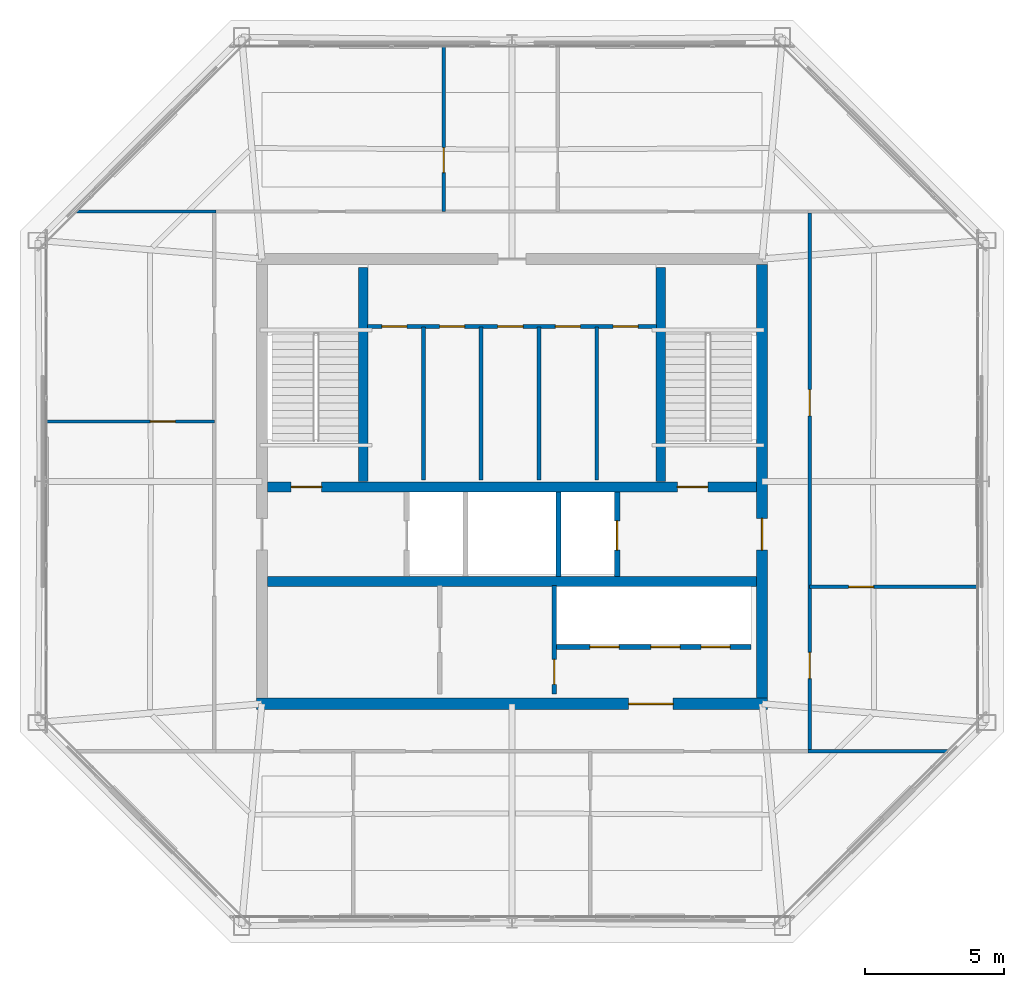
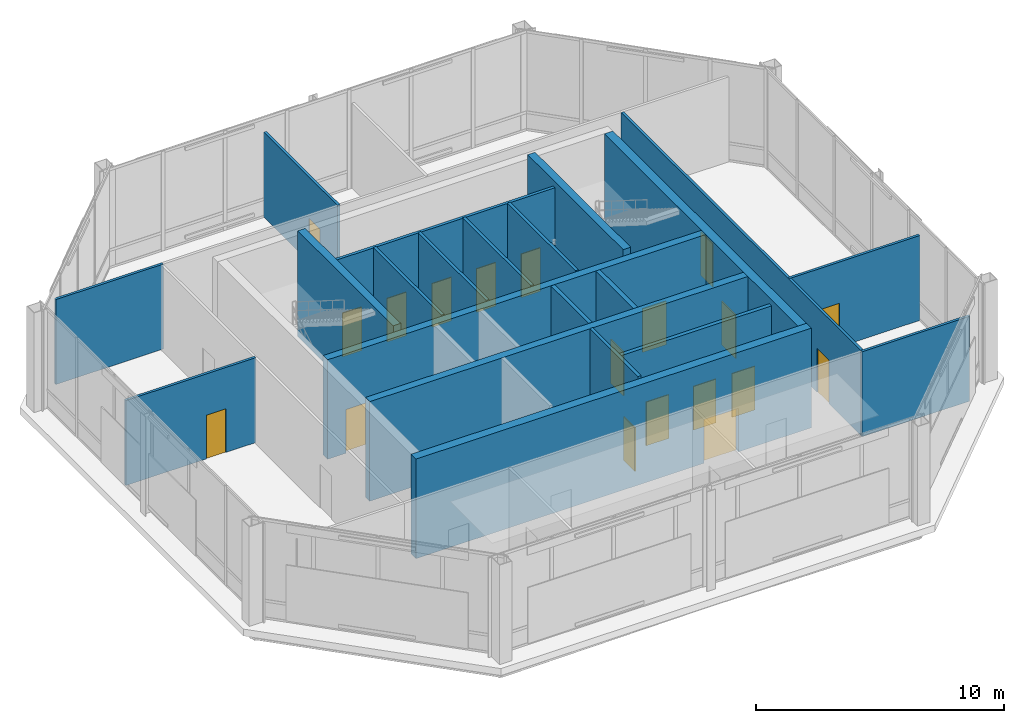
# One storey, part 19 of 21: 21 walls, 19 doors, 19 openings.
"""IFC4 building model written with IfcOpenShell, lengths in metres."""

from ifc_helpers import new_model, si_unit, direction, frame, frame_2d, origin, place, context, subcontext, project, spatial, rectangle, extrude, material, layer, layer_set, type_object, element, fill, save


model = new_model("IFC4")

# Units and contexts
model_context = context("Model", 3, precision=1e-05, world=origin(), true_north=direction((0.0, 1.0)))
body_context = subcontext(model_context, "Body", "Model", "MODEL_VIEW")
ifc_project = project(units=[si_unit("LENGTHUNIT", "METRE"), si_unit("AREAUNIT", "SQUARE_METRE"), si_unit("VOLUMEUNIT", "CUBIC_METRE"), si_unit("PLANEANGLEUNIT", "RADIAN"), si_unit("MASSUNIT", "GRAM", prefix="KILO")], contexts=[model_context])

# Site, building, storey
site_placement = place(None, origin())
site = spatial("IfcSite", under=ifc_project, at=site_placement, CompositionType="ELEMENT")
building_placement = place(site_placement, origin())
building = spatial("IfcBuilding", under=site, at=building_placement, Name="Caelvoria Tower", CompositionType="ELEMENT")
storey_placement = place(building_placement, frame((0.0, 0.0, 279.0)))
storey = spatial("IfcBuildingStorey", under=building, at=storey_placement, Name="L74", CompositionType="ELEMENT", Elevation=279.0)

# Wall, openings, doors
ifc_material_1 = material(Name="Concrete C50/60", Category="concrete")
ifc_layer_1 = layer(ifc_material_1, 0.35009765625, Name="Concrete C50/60")
ifc_layer_set_1 = layer_set([ifc_layer_1], Name="Core Internal Shear Wall 350 - Concrete C50/60")
wall_type_1 = type_object("IfcWallType", Name="Core Internal Shear Wall 350", PredefinedType="SHEAR", material=ifc_layer_set_1)
wall_1_placement = place(storey_placement, frame((37.199951171875, 31.800048828125, 0.0), z_axis=(0.0, 0.0, 1.0), x_axis=(1.0, 0.0, 0.0)))
wall_1 = element("IfcWall", 1, at=wall_1_placement, inside=storey, type_object=wall_type_1, Name="Core Shear Wall L74 M1", PredefinedType="SHEAR", context=body_context, shape_type="SweptSolid", body=[
    extrude(rectangle(XDim=17.60009765625, YDim=0.35009765625, at=frame_2d((8.800048828125, 0.0))), origin(), (0.0, 0.0, 1.0), 4.89990234375),
])
opening_1_placement = place(wall_1_placement, frame((0.85009765625, 0.0, 0.0)))
opening_1 = element("IfcOpeningElement", 2, at=opening_1_placement, cuts=wall_1, Name="Opening ID-01", PredefinedType="OPENING", context=body_context, shape_type="SweptSolid", body=[
    extrude(rectangle(XDim=1.10009765625, YDim=2.14990234375, at=frame_2d((0.550048828125, 1.074951171875))), frame((0.0, 0.18505859375, 0.0), z_axis=(0.0, -1.0, 0.0), x_axis=(1.0, 0.0, 0.0)), (0.0, 0.0, 1.0), 0.3701171875),
])
opening_2_placement = place(wall_1_placement, frame((14.75, 0.0, 0.0)))
opening_2 = element("IfcOpeningElement", 3, at=opening_2_placement, cuts=wall_1, Name="Opening ID-01", PredefinedType="OPENING", context=body_context, shape_type="SweptSolid", body=[
    extrude(rectangle(XDim=1.10009765625, YDim=2.14990234375, at=frame_2d((0.550048828125, 1.074951171875))), frame((0.0, 0.18505859375, 0.0), z_axis=(0.0, -1.0, 0.0), x_axis=(1.0, 0.0, 0.0)), (0.0, 0.0, 1.0), 0.3701171875),
])
ifc_material_2 = material(Name="Painted Hollow Steel Fire Door", Category="steel")
door_type_1 = type_object("IfcDoorType", Name="Fire Door FD90S 1100x2150", OperationType="NOTDEFINED", PredefinedType="DOOR", material=ifc_material_2)
door_1_placement = place(opening_1_placement, origin())
door_1 = element("IfcDoor", 4, at=door_1_placement, inside=storey, type_object=door_type_1, Name="Core Door DR-L74-ST1", OperationType="SINGLE_SWING_LEFT", OverallHeight=2.14990234375, OverallWidth=1.10009765625, PredefinedType="DOOR", context=body_context, shape_type="SweptSolid", body=[
    extrude(rectangle(XDim=1.10009765625, YDim=2.14990234375, at=frame_2d((0.550048828125, 1.074951171875))), frame((0.0, 0.02490234375, 0.0), z_axis=(0.0, -1.0, 0.0), x_axis=(1.0, 0.0, 0.0)), (0.0, 0.0, 1.0), 0.050048828125),
])
fill(opening_1, door_1)
door_2_placement = place(opening_2_placement, origin())
door_2 = element("IfcDoor", 5, at=door_2_placement, inside=storey, type_object=door_type_1, Name="Core Door DR-L74-ST2", OperationType="SINGLE_SWING_RIGHT", OverallHeight=2.14990234375, OverallWidth=1.10009765625, PredefinedType="DOOR", context=body_context, shape_type="SweptSolid", body=[
    extrude(rectangle(XDim=1.10009765625, YDim=2.14990234375, at=frame_2d((0.550048828125, 1.074951171875))), frame((0.0, 0.02490234375, 0.0), z_axis=(0.0, -1.0, 0.0), x_axis=(1.0, 0.0, 0.0)), (0.0, 0.0, 1.0), 0.050048828125),
])
fill(opening_2, door_2)

# Walls
wall_2_placement = place(storey_placement, frame((37.199951171875, 28.39990234375, 0.0), z_axis=(0.0, 0.0, 1.0), x_axis=(1.0, 0.0, 0.0)))
element("IfcWall", 6, at=wall_2_placement, inside=storey, type_object=wall_type_1, Name="Core Shear Wall L74 M2", PredefinedType="SHEAR", context=body_context, shape_type="SweptSolid", body=[
    extrude(rectangle(XDim=17.60009765625, YDim=0.35009765625, at=frame_2d((8.800048828125, 0.0))), origin(), (0.0, 0.0, 1.0), 4.89990234375),
])
for number, where, z_axis, x_axis, name in (
    (7, (40.64990234375, 32.0, 0.0), (0.0, 0.0, 1.0), (0.0, 1.0, 0.0), "Interior Partition IW-L74-ST1E"),
    (8, (51.35009765625, 32.0, 0.0), (0.0, 0.0, 1.0), (0.0, 1.0, 0.0), "Interior Partition IW-L74-ST2W"),
):
    element("IfcWall", number, at=place(storey_placement, frame(where, z_axis=z_axis, x_axis=x_axis)), inside=storey, type_object=wall_type_1, Name=name, PredefinedType="SHEAR", context=body_context, shape_type="SweptSolid", body=[
        extrude(rectangle(XDim=7.699951171875, YDim=0.35009765625, at=frame_2d((3.85009765625, 0.0))), origin(), (0.0, 0.0, 1.0), 5.199951171875),
    ])
ifc_material_3 = material(Name="Moisture-Resistant Gypsum on Steel Stud", Category="steel")
ifc_layer_2 = layer(ifc_material_3, 0.139892578125, Name="Moisture-Resistant Gypsum on Steel Stud")
ifc_layer_set_2 = layer_set([ifc_layer_2], Name="Core Sanitary Acoustic Partition Wall 140 - Moisture-Resistant Gypsum on Steel Stud")
wall_type_2 = type_object("IfcWallType", Name="Core Sanitary Acoustic Partition Wall 140", PredefinedType="PARTITIONING", material=ifc_layer_set_2)
for number, where, z_axis, x_axis, name in (
    (9, (42.81005859375, 32.050048828125, 0.0), (0.0, 0.0, 1.0), (0.0, 1.0, 0.0), "Interior Partition IW-L74-C1V0"),
    (10, (44.889892578125, 32.050048828125, 0.0), (0.0, 0.0, 1.0), (0.0, 1.0, 0.0), "Interior Partition IW-L74-C1V1"),
    (11, (46.969970703125, 32.050048828125, 0.0), (0.0, 0.0, 1.0), (0.0, 1.0, 0.0), "Interior Partition IW-L74-C1V2"),
    (12, (49.050048828125, 32.050048828125, 0.0), (0.0, 0.0, 1.0), (0.0, 1.0, 0.0), "Interior Partition IW-L74-C1V3"),
):
    element("IfcWall", number, at=place(storey_placement, frame(where, z_axis=z_axis, x_axis=x_axis)), inside=storey, type_object=wall_type_2, Name=name, PredefinedType="PARTITIONING", context=body_context, shape_type="SweptSolid", body=[
        extrude(rectangle(XDim=5.5, YDim=0.139892578125, at=frame_2d((2.75, 0.0))), origin(), (0.0, 0.0, 1.0), 4.89990234375),
    ])

# Wall, openings, doors
wall_3_placement = place(storey_placement, frame((40.800048828125, 37.580078125, 0.0), z_axis=(0.0, 0.0, 1.0), x_axis=(1.0, 0.0, 0.0)))
wall_3 = element("IfcWall", 13, at=wall_3_placement, inside=storey, type_object=wall_type_2, Name="Interior Partition IW-L74-C1H", PredefinedType="PARTITIONING", context=body_context, shape_type="SweptSolid", body=[
    extrude(rectangle(XDim=10.39990234375, YDim=0.139892578125, at=frame_2d((5.199951171875, 0.0))), origin(), (0.0, 0.0, 1.0), 4.89990234375),
])
opening_3_placement = place(wall_3_placement, frame((0.52001953125, 0.0, 0.0)))
opening_3 = element("IfcOpeningElement", 14, at=opening_3_placement, cuts=wall_3, Name="Opening ID-06", PredefinedType="OPENING", context=body_context, shape_type="SweptSolid", body=[
    extrude(rectangle(XDim=0.89990234375, YDim=2.14990234375, at=frame_2d((0.449951171875, 1.074951171875))), frame((0.0, 0.079833984375, 0.0), z_axis=(0.0, -1.0, 0.0), x_axis=(1.0, 0.0, 0.0)), (0.0, 0.0, 1.0), 0.159912109375),
])
opening_4_placement = place(wall_3_placement, frame((2.60009765625, 0.0, 0.0)))
opening_4 = element("IfcOpeningElement", 15, at=opening_4_placement, cuts=wall_3, Name="Opening ID-06", PredefinedType="OPENING", context=body_context, shape_type="SweptSolid", body=[
    extrude(rectangle(XDim=0.89990234375, YDim=2.14990234375, at=frame_2d((0.449951171875, 1.074951171875))), frame((0.0, 0.079833984375, 0.0), z_axis=(0.0, -1.0, 0.0), x_axis=(1.0, 0.0, 0.0)), (0.0, 0.0, 1.0), 0.159912109375),
])
opening_5_placement = place(wall_3_placement, frame((4.679931640625, 0.0, 0.0)))
opening_5 = element("IfcOpeningElement", 16, at=opening_5_placement, cuts=wall_3, Name="Opening ID-07", PredefinedType="OPENING", context=body_context, shape_type="SweptSolid", body=[
    extrude(rectangle(XDim=0.919921875, YDim=2.14990234375, at=frame_2d((0.4599609375, 1.074951171875))), frame((0.0, 0.079833984375, 0.0), z_axis=(0.0, -1.0, 0.0), x_axis=(1.0, 0.0, 0.0)), (0.0, 0.0, 1.0), 0.159912109375),
])
opening_6_placement = place(wall_3_placement, frame((6.760009765625, 0.0, 0.0)))
opening_6 = element("IfcOpeningElement", 17, at=opening_6_placement, cuts=wall_3, Name="Opening ID-06", PredefinedType="OPENING", context=body_context, shape_type="SweptSolid", body=[
    extrude(rectangle(XDim=0.89990234375, YDim=2.14990234375, at=frame_2d((0.449951171875, 1.074951171875))), frame((0.0, 0.079833984375, 0.0), z_axis=(0.0, -1.0, 0.0), x_axis=(1.0, 0.0, 0.0)), (0.0, 0.0, 1.0), 0.159912109375),
])
opening_7_placement = place(wall_3_placement, frame((8.840087890625, 0.0, 0.0)))
opening_7 = element("IfcOpeningElement", 18, at=opening_7_placement, cuts=wall_3, Name="Opening ID-06", PredefinedType="OPENING", context=body_context, shape_type="SweptSolid", body=[
    extrude(rectangle(XDim=0.89990234375, YDim=2.14990234375, at=frame_2d((0.449951171875, 1.074951171875))), frame((0.0, 0.079833984375, 0.0), z_axis=(0.0, -1.0, 0.0), x_axis=(1.0, 0.0, 0.0)), (0.0, 0.0, 1.0), 0.159912109375),
])
ifc_material_4 = material(Name="Engineered Andean Oak Accessible Door", Category="wood")
door_type_2 = type_object("IfcDoorType", Name="Accessible WC Door 950x2150", OperationType="NOTDEFINED", PredefinedType="DOOR", material=ifc_material_4)
door_3_placement = place(opening_5_placement, origin())
door_3 = element("IfcDoor", 19, at=door_3_placement, inside=storey, type_object=door_type_2, Name="Interior Door DR-L74-C1-3", OperationType="SINGLE_SWING_LEFT", OverallHeight=2.14990234375, OverallWidth=0.919921875, PredefinedType="DOOR", context=body_context, shape_type="SweptSolid", body=[
    extrude(rectangle(XDim=0.919921875, YDim=2.14990234375, at=frame_2d((0.4599609375, 1.074951171875))), frame((0.0, 0.02490234375, 0.0), z_axis=(0.0, -1.0, 0.0), x_axis=(1.0, 0.0, 0.0)), (0.0, 0.0, 1.0), 0.050048828125),
])
fill(opening_5, door_3)
ifc_material_5 = material(Name="Engineered Andean Oak Veneer Door", Category="wood")
door_type_3 = type_object("IfcDoorType", Name="Interior Timber Door 900x2150", OperationType="NOTDEFINED", PredefinedType="DOOR", material=ifc_material_5)
door_4_placement = place(opening_3_placement, origin())
door_4 = element("IfcDoor", 20, at=door_4_placement, inside=storey, type_object=door_type_3, Name="Interior Door DR-L74-C1-1", OperationType="SINGLE_SWING_LEFT", OverallHeight=2.14990234375, OverallWidth=0.89990234375, PredefinedType="DOOR", context=body_context, shape_type="SweptSolid", body=[
    extrude(rectangle(XDim=0.89990234375, YDim=2.14990234375, at=frame_2d((0.449951171875, 1.074951171875))), frame((0.0, 0.02490234375, 0.0), z_axis=(0.0, -1.0, 0.0), x_axis=(1.0, 0.0, 0.0)), (0.0, 0.0, 1.0), 0.050048828125),
])
fill(opening_3, door_4)
door_5_placement = place(opening_4_placement, origin())
door_5 = element("IfcDoor", 21, at=door_5_placement, inside=storey, type_object=door_type_3, Name="Interior Door DR-L74-C1-2", OperationType="SINGLE_SWING_RIGHT", OverallHeight=2.14990234375, OverallWidth=0.89990234375, PredefinedType="DOOR", context=body_context, shape_type="SweptSolid", body=[
    extrude(rectangle(XDim=0.89990234375, YDim=2.14990234375, at=frame_2d((0.449951171875, 1.074951171875))), frame((0.0, 0.02490234375, 0.0), z_axis=(0.0, -1.0, 0.0), x_axis=(1.0, 0.0, 0.0)), (0.0, 0.0, 1.0), 0.050048828125),
])
fill(opening_4, door_5)
door_6_placement = place(opening_6_placement, origin())
door_6 = element("IfcDoor", 22, at=door_6_placement, inside=storey, type_object=door_type_3, Name="Interior Door DR-L74-C1-4", OperationType="SINGLE_SWING_RIGHT", OverallHeight=2.14990234375, OverallWidth=0.89990234375, PredefinedType="DOOR", context=body_context, shape_type="SweptSolid", body=[
    extrude(rectangle(XDim=0.89990234375, YDim=2.14990234375, at=frame_2d((0.449951171875, 1.074951171875))), frame((0.0, 0.02490234375, 0.0), z_axis=(0.0, -1.0, 0.0), x_axis=(1.0, 0.0, 0.0)), (0.0, 0.0, 1.0), 0.050048828125),
])
fill(opening_6, door_6)
door_7_placement = place(opening_7_placement, origin())
door_7 = element("IfcDoor", 23, at=door_7_placement, inside=storey, type_object=door_type_3, Name="Interior Door DR-L74-C1-5", OperationType="SINGLE_SWING_LEFT", OverallHeight=2.14990234375, OverallWidth=0.89990234375, PredefinedType="DOOR", context=body_context, shape_type="SweptSolid", body=[
    extrude(rectangle(XDim=0.89990234375, YDim=2.14990234375, at=frame_2d((0.449951171875, 1.074951171875))), frame((0.0, 0.02490234375, 0.0), z_axis=(0.0, -1.0, 0.0), x_axis=(1.0, 0.0, 0.0)), (0.0, 0.0, 1.0), 0.050048828125),
])
fill(opening_7, door_7)

# Wall, opening, door
ifc_material_6 = material(Name="Double Gypsum Board on Steel Stud", Category="steel")
ifc_layer_3 = layer(ifc_material_6, 0.14990234375, Name="Double Gypsum Board on Steel Stud")
ifc_layer_set_3 = layer_set([ifc_layer_3], Name="Core Service Acoustic Partition Wall 150 - Double Gypsum Board on Steel Stud")
wall_type_3 = type_object("IfcWallType", Name="Core Service Acoustic Partition Wall 150", PredefinedType="PARTITIONING", material=ifc_layer_set_3)
wall_4_placement = place(storey_placement, frame((47.52001953125, 24.35009765625, 0.0), z_axis=(0.0, 0.0, 1.0), x_axis=(0.0, 1.0, 0.0)))
wall_4 = element("IfcWall", 24, at=wall_4_placement, inside=storey, type_object=wall_type_3, Name="Interior Partition IW-L74-RECL2E", PredefinedType="PARTITIONING", context=body_context, shape_type="SweptSolid", body=[
    extrude(rectangle(XDim=3.89990234375, YDim=0.14990234375, at=frame_2d((1.949951171875, 0.0))), origin(), (0.0, 0.0, 1.0), 4.89990234375),
])
opening_8_placement = place(wall_4_placement, frame((0.35009765625, 0.0, 0.0)))
opening_8 = element("IfcOpeningElement", 25, at=opening_8_placement, cuts=wall_4, Name="Opening ID-04", PredefinedType="OPENING", context=body_context, shape_type="SweptSolid", body=[
    extrude(rectangle(XDim=0.89990234375, YDim=2.14990234375, at=frame_2d((0.449951171875, 1.074951171875))), frame((0.0, 0.0849609375, 0.0), z_axis=(0.0, -1.0, 0.0), x_axis=(1.0, 0.0, 0.0)), (0.0, 0.0, 1.0), 0.169921875),
])
ifc_material_7 = material(Name="Acoustic Timber Fire Door", Category="wood")
door_type_4 = type_object("IfcDoorType", Name="Fire Door FD30S 900x2150", OperationType="NOTDEFINED", PredefinedType="DOOR", material=ifc_material_7)
door_8_placement = place(opening_8_placement, origin())
door_8 = element("IfcDoor", 26, at=door_8_placement, inside=storey, type_object=door_type_4, Name="Interior Door DR-L74-RECL2", OperationType="SINGLE_SWING_RIGHT", OverallHeight=2.14990234375, OverallWidth=0.89990234375, PredefinedType="DOOR", context=body_context, shape_type="SweptSolid", body=[
    extrude(rectangle(XDim=0.89990234375, YDim=2.14990234375, at=frame_2d((0.449951171875, 1.074951171875))), frame((0.0, 0.02490234375, 0.0), z_axis=(0.0, -1.0, 0.0), x_axis=(1.0, 0.0, 0.0)), (0.0, 0.0, 1.0), 0.050048828125),
])
fill(opening_8, door_8)

# Wall
ifc_material_8 = material(Name="Concrete Block and Fireboard Assembly", Category="concrete")
ifc_layer_4 = layer(ifc_material_8, 0.179931640625, Name="Concrete Block and Fireboard Assembly")
ifc_layer_set_4 = layer_set([ifc_layer_4], Name="Fire-Rated Hoistway Partition Wall 180 - Concrete Block and Fireboard Assembly")
wall_type_4 = type_object("IfcWallType", Name="Fire-Rated Hoistway Partition Wall 180", PredefinedType="PARTITIONING", material=ifc_layer_set_4)
wall_5_placement = place(storey_placement, frame((47.679931640625, 28.580078125, 0.0), z_axis=(0.0, 0.0, 1.0), x_axis=(0.0, 1.0, 0.0)))
element("IfcWall", 27, at=wall_5_placement, inside=storey, type_object=wall_type_4, Name="Interior Partition IW-L74-SV1E", PredefinedType="PARTITIONING", context=body_context, shape_type="SweptSolid", body=[
    extrude(rectangle(XDim=3.0400390625, YDim=0.179931640625, at=frame_2d((1.52001953125, 0.0))), origin(), (0.0, 0.0, 1.0), 4.89990234375),
])

# Wall, openings, doors
wall_6_placement = place(storey_placement, frame((47.60009765625, 26.050048828125, 0.0), z_axis=(0.0, 0.0, 1.0), x_axis=(1.0, 0.0, 0.0)))
wall_6 = element("IfcWall", 28, at=wall_6_placement, inside=storey, type_object=wall_type_4, Name="Interior Partition IW-L74-LFRONT", PredefinedType="PARTITIONING", context=body_context, shape_type="SweptSolid", body=[
    extrude(rectangle(XDim=7.0, YDim=0.179931640625, at=frame_2d((3.5, 0.0))), origin(), (0.0, 0.0, 1.0), 4.89990234375),
])
opening_9_placement = place(wall_6_placement, frame((1.199951171875, 0.0, 0.0)))
opening_9 = element("IfcOpeningElement", 29, at=opening_9_placement, cuts=wall_6, Name="Opening LD-01", PredefinedType="OPENING", context=body_context, shape_type="SweptSolid", body=[
    extrude(rectangle(XDim=1.050048828125, YDim=2.14990234375, at=frame_2d((0.52490234375, 1.074951171875))), frame((0.0, 0.099853515625, 0.0), z_axis=(0.0, -1.0, 0.0), x_axis=(1.0, 0.0, 0.0)), (0.0, 0.0, 1.0), 0.199951171875),
])
opening_10_placement = place(wall_6_placement, frame((3.39990234375, 0.0, 0.0)))
opening_10 = element("IfcOpeningElement", 30, at=opening_10_placement, cuts=wall_6, Name="Opening LD-01", PredefinedType="OPENING", context=body_context, shape_type="SweptSolid", body=[
    extrude(rectangle(XDim=1.050048828125, YDim=2.14990234375, at=frame_2d((0.52490234375, 1.074951171875))), frame((0.0, 0.099853515625, 0.0), z_axis=(0.0, -1.0, 0.0), x_axis=(1.0, 0.0, 0.0)), (0.0, 0.0, 1.0), 0.199951171875),
])
opening_11_placement = place(wall_6_placement, frame((5.199951171875, 0.0, 0.0)))
opening_11 = element("IfcOpeningElement", 31, at=opening_11_placement, cuts=wall_6, Name="Opening LD-01", PredefinedType="OPENING", context=body_context, shape_type="SweptSolid", body=[
    extrude(rectangle(XDim=1.050048828125, YDim=2.14990234375, at=frame_2d((0.52490234375, 1.074951171875))), frame((0.0, 0.099853515625, 0.0), z_axis=(0.0, -1.0, 0.0), x_axis=(1.0, 0.0, 0.0)), (0.0, 0.0, 1.0), 0.199951171875),
])
ifc_material_9 = material(Name="Brushed Bronze Stainless Sliding Landing Door", Category="aluminium")
door_type_5 = type_object("IfcDoorType", Name="Lift Landing Sliding Door 1100x2150", OperationType="NOTDEFINED", PredefinedType="DOOR", material=ifc_material_9)
door_9_placement = place(opening_9_placement, origin())
door_9 = element("IfcDoor", 32, at=door_9_placement, inside=storey, type_object=door_type_5, Name="Interior Door LD-L74-PH1", OperationType="SLIDING_TO_LEFT", OverallHeight=2.14990234375, OverallWidth=1.050048828125, PredefinedType="DOOR", context=body_context, shape_type="SweptSolid", body=[
    extrude(rectangle(XDim=1.050048828125, YDim=2.14990234375, at=frame_2d((0.52490234375, 1.074951171875))), frame((0.0, 0.02490234375, 0.0), z_axis=(0.0, -1.0, 0.0), x_axis=(1.0, 0.0, 0.0)), (0.0, 0.0, 1.0), 0.050048828125),
])
fill(opening_9, door_9)
door_10_placement = place(opening_10_placement, origin())
door_10 = element("IfcDoor", 33, at=door_10_placement, inside=storey, type_object=door_type_5, Name="Interior Door LD-L74-PH2", OperationType="SLIDING_TO_RIGHT", OverallHeight=2.14990234375, OverallWidth=1.050048828125, PredefinedType="DOOR", context=body_context, shape_type="SweptSolid", body=[
    extrude(rectangle(XDim=1.050048828125, YDim=2.14990234375, at=frame_2d((0.52490234375, 1.074951171875))), frame((0.0, 0.02490234375, 0.0), z_axis=(0.0, -1.0, 0.0), x_axis=(1.0, 0.0, 0.0)), (0.0, 0.0, 1.0), 0.050048828125),
])
fill(opening_10, door_10)
door_11_placement = place(opening_11_placement, origin())
door_11 = element("IfcDoor", 34, at=door_11_placement, inside=storey, type_object=door_type_5, Name="Interior Door LD-L74-PO1", OperationType="SLIDING_TO_LEFT", OverallHeight=2.14990234375, OverallWidth=1.050048828125, PredefinedType="DOOR", context=body_context, shape_type="SweptSolid", body=[
    extrude(rectangle(XDim=1.050048828125, YDim=2.14990234375, at=frame_2d((0.52490234375, 1.074951171875))), frame((0.0, 0.02490234375, 0.0), z_axis=(0.0, -1.0, 0.0), x_axis=(1.0, 0.0, 0.0)), (0.0, 0.0, 1.0), 0.050048828125),
])
fill(opening_11, door_11)

# Wall, opening, door
ifc_layer_5 = layer(ifc_material_8, 0.199951171875, Name="Concrete Block and Fireboard Assembly")
ifc_layer_set_5 = layer_set([ifc_layer_5], Name="Fire-Rated Shaft and Core Partition Wall 200 - Concrete Block and Fireboard Assembly")
wall_type_5 = type_object("IfcWallType", Name="Fire-Rated Shaft and Core Partition Wall 200", PredefinedType="PARTITIONING", material=ifc_layer_set_5)
wall_7_placement = place(storey_placement, frame((49.780029296875, 28.580078125, 0.0), z_axis=(0.0, 0.0, 1.0), x_axis=(0.0, 1.0, 0.0)))
wall_7 = element("IfcWall", 35, at=wall_7_placement, inside=storey, type_object=wall_type_5, Name="Interior Partition IW-L74-LF2E", PredefinedType="PARTITIONING", context=body_context, shape_type="SweptSolid", body=[
    extrude(rectangle(XDim=3.0400390625, YDim=0.199951171875, at=frame_2d((1.52001953125, 0.0))), origin(), (0.0, 0.0, 1.0), 4.89990234375),
])
opening_12_placement = place(wall_7_placement, frame((0.949951171875, 0.0, 0.0)))
opening_12 = element("IfcOpeningElement", 36, at=opening_12_placement, cuts=wall_7, Name="Opening LD-01", PredefinedType="OPENING", context=body_context, shape_type="SweptSolid", body=[
    extrude(rectangle(XDim=1.050048828125, YDim=2.14990234375, at=frame_2d((0.52490234375, 1.074951171875))), frame((0.0, 0.10986328125, 0.0), z_axis=(0.0, -1.0, 0.0), x_axis=(1.0, 0.0, 0.0)), (0.0, 0.0, 1.0), 0.219970703125),
])
door_12_placement = place(opening_12_placement, origin())
door_12 = element("IfcDoor", 37, at=door_12_placement, inside=storey, type_object=door_type_5, Name="Interior Door LD-L74-LF2", OperationType="SLIDING_TO_RIGHT", OverallHeight=2.14990234375, OverallWidth=1.050048828125, PredefinedType="DOOR", context=body_context, shape_type="SweptSolid", body=[
    extrude(rectangle(XDim=1.050048828125, YDim=2.14990234375, at=frame_2d((0.52490234375, 1.074951171875))), frame((0.0, 0.02490234375, 0.0), z_axis=(0.0, -1.0, 0.0), x_axis=(1.0, 0.0, 0.0)), (0.0, 0.0, 1.0), 0.050048828125),
])
fill(opening_12, door_12)

ifc_layer_6 = layer(ifc_material_1, 0.39990234375, Name="Concrete C50/60")
ifc_layer_set_6 = layer_set([ifc_layer_6], Name="Summit Core Shear Wall 400 - Concrete C50/60")
wall_type_6 = type_object("IfcWallType", Name="Summit Core Shear Wall 400", PredefinedType="SHEAR", material=ifc_layer_set_6)
wall_8_placement = place(storey_placement, frame((36.800048828125, 24.0, 0.0), z_axis=(0.0, 0.0, 1.0), x_axis=(1.0, 0.0, 0.0)))
wall_8 = element("IfcWall", 38, at=wall_8_placement, inside=storey, type_object=wall_type_6, Name="Core Shear Wall L74 S", PredefinedType="SHEAR", context=body_context, shape_type="SweptSolid", body=[
    extrude(rectangle(XDim=18.39990234375, YDim=0.39990234375, at=frame_2d((9.199951171875, 0.0))), origin(), (0.0, 0.0, 1.0), 4.89990234375),
])
opening_13_placement = place(wall_8_placement, frame((13.39990234375, 0.0, 0.0)))
opening_13 = element("IfcOpeningElement", 39, at=opening_13_placement, cuts=wall_8, Name="Opening ID-08", PredefinedType="OPENING", context=body_context, shape_type="SweptSolid", body=[
    extrude(rectangle(XDim=1.60009765625, YDim=2.14990234375, at=frame_2d((0.800048828125, 1.074951171875))), frame((0.0, 0.2099609375, 0.0), z_axis=(0.0, -1.0, 0.0), x_axis=(1.0, 0.0, 0.0)), (0.0, 0.0, 1.0), 0.419921875),
])
ifc_material_10 = material(Name="Bronze-Framed Fire-Rated Glazed Double Door", Category="aluminium")
door_type_6 = type_object("IfcDoorType", Name="Double Lobby Glazed Door 1600x2200", OperationType="NOTDEFINED", PredefinedType="DOOR", material=ifc_material_10)
door_13_placement = place(opening_13_placement, origin())
door_13 = element("IfcDoor", 40, at=door_13_placement, inside=storey, type_object=door_type_6, Name="Core Door DR-L74-LLOB-S2", OperationType="DOUBLE_DOOR_SINGLE_SWING", OverallHeight=2.14990234375, OverallWidth=1.60009765625, PredefinedType="DOOR", context=body_context, shape_type="SweptSolid", body=[
    extrude(rectangle(XDim=1.60009765625, YDim=2.14990234375, at=frame_2d((0.800048828125, 1.074951171875))), frame((0.0, 0.02490234375, 0.0), z_axis=(0.0, -1.0, 0.0), x_axis=(1.0, 0.0, 0.0)), (0.0, 0.0, 1.0), 0.050048828125),
])
fill(opening_13, door_13)

wall_9_placement = place(storey_placement, frame((55.0, 24.199951171875, 0.0), z_axis=(0.0, 0.0, 1.0), x_axis=(0.0, 1.0, 0.0)))
wall_9 = element("IfcWall", 41, at=wall_9_placement, inside=storey, type_object=wall_type_6, Name="Core Shear Wall L74 E", PredefinedType="SHEAR", context=body_context, shape_type="SweptSolid", body=[
    extrude(rectangle(XDim=15.60009765625, YDim=0.39990234375, at=frame_2d((7.800048828125, 0.0))), origin(), (0.0, 0.0, 1.0), 4.89990234375),
])
opening_14_placement = place(wall_9_placement, frame((5.324951171875, 0.0, 0.0)))
opening_14 = element("IfcOpeningElement", 42, at=opening_14_placement, cuts=wall_9, Name="Opening ID-02", PredefinedType="OPENING", context=body_context, shape_type="SweptSolid", body=[
    extrude(rectangle(XDim=1.14990234375, YDim=2.14990234375, at=frame_2d((0.574951171875, 1.074951171875))), frame((0.0, 0.2099609375, 0.0), z_axis=(0.0, -1.0, 0.0), x_axis=(1.0, 0.0, 0.0)), (0.0, 0.0, 1.0), 0.419921875),
])
door_type_7 = type_object("IfcDoorType", Name="Fire Door FD60S 1150x2150", OperationType="NOTDEFINED", PredefinedType="DOOR", material=ifc_material_2)
door_14_placement = place(opening_14_placement, origin())
door_14 = element("IfcDoor", 43, at=door_14_placement, inside=storey, type_object=door_type_7, Name="Core Door DR-L74-FFLE-OUT", OperationType="SINGLE_SWING_RIGHT", OverallHeight=2.14990234375, OverallWidth=1.14990234375, PredefinedType="DOOR", context=body_context, shape_type="SweptSolid", body=[
    extrude(rectangle(XDim=1.14990234375, YDim=2.14990234375, at=frame_2d((0.574951171875, 1.074951171875))), frame((0.0, 0.02490234375, 0.0), z_axis=(0.0, -1.0, 0.0), x_axis=(1.0, 0.0, 0.0)), (0.0, 0.0, 1.0), 0.050048828125),
])
fill(opening_14, door_14)

ifc_material_11 = material(Name="Acoustic Gypsum Board on Light-Gauge Stud", Category="gypsum")
ifc_layer_7 = layer(ifc_material_11, 0.1201171875, Name="Acoustic Gypsum Board on Light-Gauge Stud")
ifc_layer_set_7 = layer_set([ifc_layer_7], Name="Tenant Suite Acoustic Partition Wall 120 - Acoustic Gypsum Board on Light-Gauge Stud")
wall_type_7 = type_object("IfcWallType", Name="Tenant Suite Acoustic Partition Wall 120", PredefinedType="PARTITIONING", material=ifc_layer_set_7)
wall_10_placement = place(storey_placement, frame((43.545654296875, 41.7099609375, 0.0), z_axis=(0.0, 0.0, 1.0), x_axis=(0.0, 1.0, 0.0)))
wall_10 = element("IfcWall", 44, at=wall_10_placement, inside=storey, type_object=wall_type_7, Name="Interior Partition IW-L74-ND-00-0", PredefinedType="PARTITIONING", context=body_context, shape_type="SweptSolid", body=[
    extrude(rectangle(XDim=5.949951171875, YDim=0.1201171875, at=frame_2d((2.97509765625, 0.0))), origin(), (0.0, 0.0, 1.0), 4.179931640625),
])
opening_15_placement = place(wall_10_placement, frame((1.39990234375, 0.0, 0.0)))
opening_15 = element("IfcOpeningElement", 45, at=opening_15_placement, cuts=wall_10, Name="Opening ID-06", PredefinedType="OPENING", context=body_context, shape_type="SweptSolid", body=[
    extrude(rectangle(XDim=0.89990234375, YDim=2.14990234375, at=frame_2d((0.449951171875, 1.074951171875))), frame((0.0, 0.070068359375, 0.0), z_axis=(0.0, -1.0, 0.0), x_axis=(1.0, 0.0, 0.0)), (0.0, 0.0, 1.0), 0.14013671875),
])
door_15_placement = place(opening_15_placement, origin())
door_15 = element("IfcDoor", 46, at=door_15_placement, inside=storey, type_object=door_type_3, Name="Interior Door DR-L74-NM-00-0", OperationType="SINGLE_SWING_RIGHT", OverallHeight=2.14990234375, OverallWidth=0.89990234375, PredefinedType="DOOR", context=body_context, shape_type="SweptSolid", body=[
    extrude(rectangle(XDim=0.89990234375, YDim=2.14990234375, at=frame_2d((0.449951171875, 1.074951171875))), frame((0.0, 0.02490234375, 0.0), z_axis=(0.0, -1.0, 0.0), x_axis=(1.0, 0.0, 0.0)), (0.0, 0.0, 1.0), 0.050048828125),
])
fill(opening_15, door_15)

wall_11_placement = place(storey_placement, frame((35.2900390625, 34.154296875, 0.0), z_axis=(0.0, 0.0, 1.0), x_axis=(-1.0, 0.0, 0.0)))
wall_11 = element("IfcWall", 47, at=wall_11_placement, inside=storey, type_object=wall_type_7, Name="Interior Partition IW-L74-WD-00-0", PredefinedType="PARTITIONING", context=body_context, shape_type="SweptSolid", body=[
    extrude(rectangle(XDim=6.050048828125, YDim=0.1201171875, at=frame_2d((3.02490234375, 0.0))), origin(), (0.0, 0.0, 1.0), 4.179931640625),
])
opening_16_placement = place(wall_11_placement, frame((1.39990234375, 0.0, 0.0)))
opening_16 = element("IfcOpeningElement", 48, at=opening_16_placement, cuts=wall_11, Name="Opening ID-06", PredefinedType="OPENING", context=body_context, shape_type="SweptSolid", body=[
    extrude(rectangle(XDim=0.89990234375, YDim=2.14990234375, at=frame_2d((0.449951171875, 1.074951171875))), frame((0.0, 0.070068359375, 0.0), z_axis=(0.0, -1.0, 0.0), x_axis=(1.0, 0.0, 0.0)), (0.0, 0.0, 1.0), 0.14013671875),
])
door_16_placement = place(opening_16_placement, origin())
door_16 = element("IfcDoor", 49, at=door_16_placement, inside=storey, type_object=door_type_3, Name="Interior Door DR-L74-WM-00-0", OperationType="SINGLE_SWING_RIGHT", OverallHeight=2.14990234375, OverallWidth=0.89990234375, PredefinedType="DOOR", context=body_context, shape_type="SweptSolid", body=[
    extrude(rectangle(XDim=0.89990234375, YDim=2.14990234375, at=frame_2d((0.449951171875, 1.074951171875))), frame((0.0, 0.02490234375, 0.0), z_axis=(0.0, -1.0, 0.0), x_axis=(1.0, 0.0, 0.0)), (0.0, 0.0, 1.0), 0.050048828125),
])
fill(opening_16, door_16)

wall_12_placement = place(storey_placement, frame((56.7099609375, 28.207275390625, 0.0), z_axis=(0.0, 0.0, 1.0), x_axis=(1.0, 0.0, 0.0)))
wall_12 = element("IfcWall", 50, at=wall_12_placement, inside=storey, type_object=wall_type_7, Name="Interior Partition IW-L74-ED-00-0", PredefinedType="PARTITIONING", context=body_context, shape_type="SweptSolid", body=[
    extrude(rectangle(XDim=6.050048828125, YDim=0.1201171875, at=frame_2d((3.02490234375, 0.0))), origin(), (0.0, 0.0, 1.0), 4.179931640625),
])
opening_17_placement = place(wall_12_placement, frame((1.39990234375, 0.0, 0.0)))
opening_17 = element("IfcOpeningElement", 51, at=opening_17_placement, cuts=wall_12, Name="Opening ID-06", PredefinedType="OPENING", context=body_context, shape_type="SweptSolid", body=[
    extrude(rectangle(XDim=0.89990234375, YDim=2.14990234375, at=frame_2d((0.449951171875, 1.074951171875))), frame((0.0, 0.070068359375, 0.0), z_axis=(0.0, -1.0, 0.0), x_axis=(1.0, 0.0, 0.0)), (0.0, 0.0, 1.0), 0.14013671875),
])
door_17_placement = place(opening_17_placement, origin())
door_17 = element("IfcDoor", 52, at=door_17_placement, inside=storey, type_object=door_type_3, Name="Interior Door DR-L74-EM-00-0", OperationType="SINGLE_SWING_RIGHT", OverallHeight=2.14990234375, OverallWidth=0.89990234375, PredefinedType="DOOR", context=body_context, shape_type="SweptSolid", body=[
    extrude(rectangle(XDim=0.89990234375, YDim=2.14990234375, at=frame_2d((0.449951171875, 1.074951171875))), frame((0.0, 0.02490234375, 0.0), z_axis=(0.0, -1.0, 0.0), x_axis=(1.0, 0.0, 0.0)), (0.0, 0.0, 1.0), 0.050048828125),
])
fill(opening_17, door_17)

# Wall, openings, doors
wall_13_placement = place(storey_placement, frame((56.7099609375, 22.35009765625, 0.0), z_axis=(0.0, 0.0, 1.0), x_axis=(0.0, 1.0, 0.0)))
wall_13 = element("IfcWall", 53, at=wall_13_placement, inside=storey, type_object=wall_type_7, Name="Interior Partition IW-L74-ECW-0", PredefinedType="PARTITIONING", context=body_context, shape_type="SweptSolid", body=[
    extrude(rectangle(XDim=19.2998046875, YDim=0.1201171875, at=frame_2d((9.64990234375, 0.0))), origin(), (0.0, 0.0, 1.0), 4.179931640625),
])
opening_18_placement = place(wall_13_placement, frame((2.5537109375, 0.0, 0.0)))
opening_18 = element("IfcOpeningElement", 54, at=opening_18_placement, cuts=wall_13, Name="Opening ID-05", PredefinedType="OPENING", context=body_context, shape_type="SweptSolid", body=[
    extrude(rectangle(XDim=0.949951171875, YDim=2.14990234375, at=frame_2d((0.47509765625, 1.074951171875))), frame((0.0, 0.070068359375, 0.0), z_axis=(0.0, -1.0, 0.0), x_axis=(1.0, 0.0, 0.0)), (0.0, 0.0, 1.0), 0.14013671875),
])
opening_19_placement = place(wall_13_placement, frame((12.003662109375, 0.0, 0.0)))
opening_19 = element("IfcOpeningElement", 55, at=opening_19_placement, cuts=wall_13, Name="Opening ID-05", PredefinedType="OPENING", context=body_context, shape_type="SweptSolid", body=[
    extrude(rectangle(XDim=0.949951171875, YDim=2.14990234375, at=frame_2d((0.47509765625, 1.074951171875))), frame((0.0, 0.070068359375, 0.0), z_axis=(0.0, -1.0, 0.0), x_axis=(1.0, 0.0, 0.0)), (0.0, 0.0, 1.0), 0.14013671875),
])
door_type_8 = type_object("IfcDoorType", Name="Interior Timber Door 950x2150", OperationType="NOTDEFINED", PredefinedType="DOOR", material=ifc_material_5)
door_18_placement = place(opening_18_placement, origin())
door_18 = element("IfcDoor", 56, at=door_18_placement, inside=storey, type_object=door_type_8, Name="Interior Door DR-L74-EC-00-0", OperationType="SINGLE_SWING_LEFT", OverallHeight=2.14990234375, OverallWidth=0.949951171875, PredefinedType="DOOR", context=body_context, shape_type="SweptSolid", body=[
    extrude(rectangle(XDim=0.949951171875, YDim=2.14990234375, at=frame_2d((0.47509765625, 1.074951171875))), frame((0.0, 0.02490234375, 0.0), z_axis=(0.0, -1.0, 0.0), x_axis=(1.0, 0.0, 0.0)), (0.0, 0.0, 1.0), 0.050048828125),
])
fill(opening_18, door_18)
door_19_placement = place(opening_19_placement, origin())
door_19 = element("IfcDoor", 57, at=door_19_placement, inside=storey, type_object=door_type_8, Name="Interior Door DR-L74-EC-01-0", OperationType="SINGLE_SWING_RIGHT", OverallHeight=2.14990234375, OverallWidth=0.949951171875, PredefinedType="DOOR", context=body_context, shape_type="SweptSolid", body=[
    extrude(rectangle(XDim=0.949951171875, YDim=2.14990234375, at=frame_2d((0.47509765625, 1.074951171875))), frame((0.0, 0.02490234375, 0.0), z_axis=(0.0, -1.0, 0.0), x_axis=(1.0, 0.0, 0.0)), (0.0, 0.0, 1.0), 0.050048828125),
])
fill(opening_19, door_19)

# Walls
for number, where, z_axis, x_axis, name in (
    (58, (56.64990234375, 22.2900390625, 0.0), (0.0, 0.0, 1.0), (1.0, 0.0, 0.0), "Interior Partition IW-L74-BSE-0"),
    (59, (35.35009765625, 41.7099609375, 0.0), (0.0, 0.0, 1.0), (-1.0, 0.0, 0.0), "Interior Partition IW-L74-BNW-0"),
):
    element("IfcWall", number, at=place(storey_placement, frame(where, z_axis=z_axis, x_axis=x_axis)), inside=storey, type_object=wall_type_7, Name=name, PredefinedType="PARTITIONING", context=body_context, shape_type="SweptSolid", body=[
        extrude(rectangle(XDim=5.0107421875, YDim=0.1201171875, at=frame_2d((2.50537109375, 0.0))), origin(), (0.0, 0.0, 1.0), 4.179931640625),
    ])

save(model, "model.ifc")
